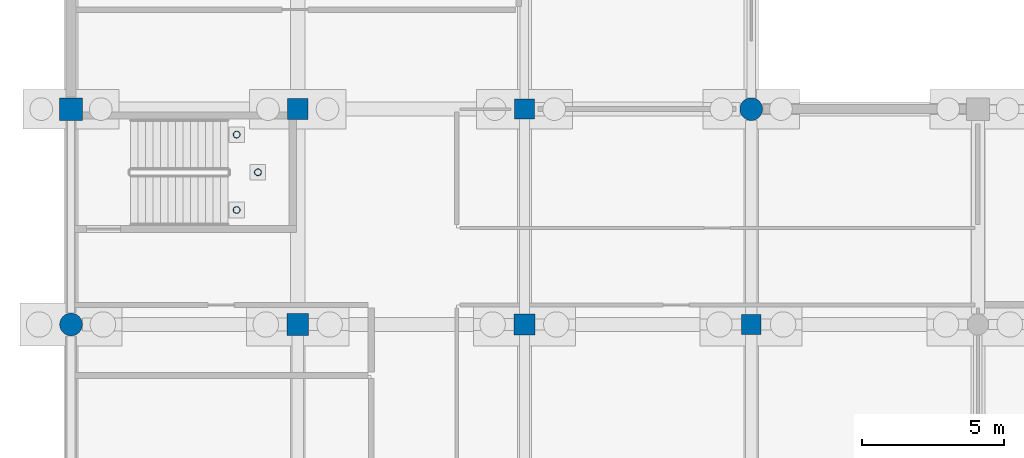
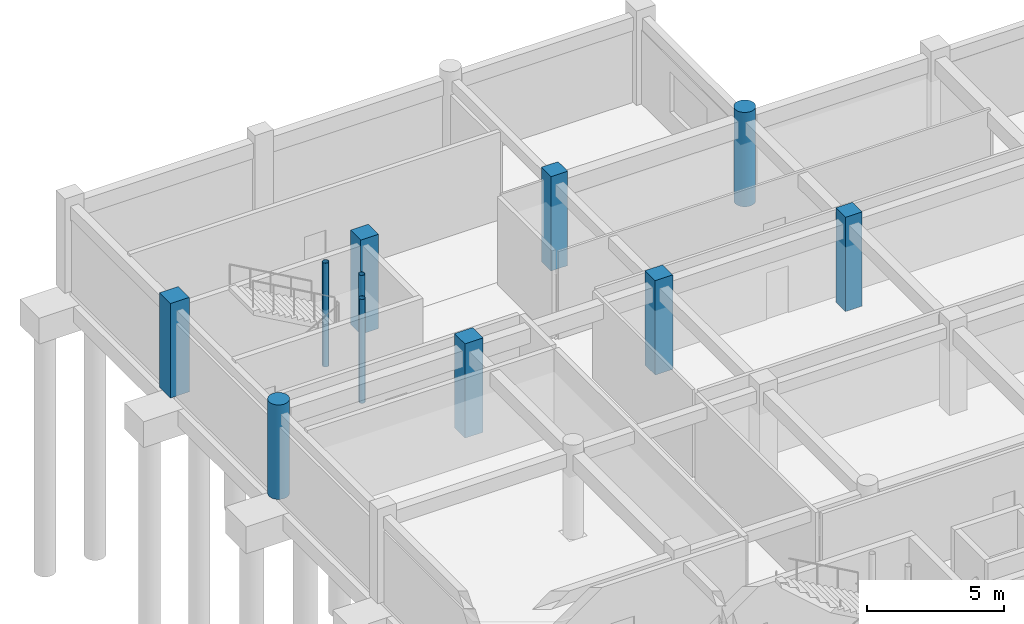
# One storey, part 3 of 11: 11 columns.
"""IFC4 building model written with IfcOpenShell, lengths in metres."""

from ifc_helpers import new_model, si_unit, direction, frame, origin, origin_2d, place, context, subcontext, project, spatial, rectangle, circle, hollow_circle, extrude, material, material_profile, profile_set, type_object, element, save


model = new_model("IFC4")

# Units and contexts
model_context = context("Model", 3, precision=1e-05, world=origin(), true_north=direction((0.0, 1.0)))
body_context = subcontext(model_context, "Body", "Model", "MODEL_VIEW")
ifc_project = project(units=[si_unit("LENGTHUNIT", "METRE"), si_unit("AREAUNIT", "SQUARE_METRE"), si_unit("VOLUMEUNIT", "CUBIC_METRE"), si_unit("PLANEANGLEUNIT", "RADIAN"), si_unit("MASSUNIT", "GRAM", prefix="KILO")], contexts=[model_context])

# Site, building, storey
site_placement = place(None, origin())
site = spatial("IfcSite", under=ifc_project, at=site_placement, CompositionType="ELEMENT")
building_placement = place(site_placement, origin())
building = spatial("IfcBuilding", under=site, at=building_placement, Name="Kharva Crest Polytechnic", CompositionType="ELEMENT")
storey_placement = place(building_placement, frame((0.0, 0.0, -4.199951171875)))
storey = spatial("IfcBuildingStorey", under=building, at=storey_placement, Name="LG", CompositionType="ELEMENT", Elevation=-4.199951171875)

# Columns
ifc_material_1 = material(Name="Concrete C40/50", Category="concrete")
ifc_material_profile_1 = material_profile(ifc_material_1, rectangle(XDim=0.800048828125, YDim=0.800048828125, at=origin_2d()), Name="RECT 800 X 800")
ifc_profile_set_1 = profile_set([ifc_material_profile_1], Name="Concrete C40/50")
column_type_1 = type_object("IfcColumnType", Name="COL-EXT-800X800", PredefinedType="COLUMN", material=ifc_profile_set_1)
column_1_placement = place(storey_placement, frame((120.800048828125, 30.39990234375, 0.0), z_axis=(0.0, 0.0, 1.0), x_axis=(1.0, 0.0, 0.0)))
element("IfcColumn", 1, at=column_1_placement, inside=storey, type_object=column_type_1, Name="LG Column 16J/E", PredefinedType="COLUMN", context=body_context, shape_type="SweptSolid", body=[
    extrude(rectangle(XDim=0.800048828125, YDim=0.800048828125, at=origin_2d()), origin(), (0.0, 0.0, 1.0), 4.199951171875),
])
ifc_material_profile_2 = material_profile(ifc_material_1, circle(Radius=0.39990234375, at=origin_2d()), Name="DIA 800")
ifc_profile_set_2 = profile_set([ifc_material_profile_2], Name="Concrete C40/50")
column_type_2 = type_object("IfcColumnType", Name="COL-EXT-DIA800", PredefinedType="COLUMN", material=ifc_profile_set_2)
for number, where, z_axis, x_axis, name in (
    (2, (120.800048828125, 22.800048828125, 0.0), (0.0, 0.0, 1.0), (1.0, 0.0, 0.0), "LG Column 16J/D"),
    (3, (144.800048828125, 30.39990234375, 0.0), (0.0, 0.0, 1.0), (1.0, 0.0, 0.0), "LG Column 19/E"),
):
    element("IfcColumn", number, at=place(storey_placement, frame(where, z_axis=z_axis, x_axis=x_axis)), inside=storey, type_object=column_type_2, Name=name, PredefinedType="COLUMN", context=body_context, shape_type="SweptSolid", body=[
        extrude(circle(Radius=0.39990234375, at=origin_2d()), origin(), (0.0, 0.0, 1.0), 4.199951171875),
    ])
ifc_material_profile_3 = material_profile(ifc_material_1, rectangle(XDim=0.699951171875, YDim=0.699951171875, at=origin_2d()), Name="RECT 700 X 700")
ifc_profile_set_3 = profile_set([ifc_material_profile_3], Name="Concrete C40/50")
column_type_3 = type_object("IfcColumnType", Name="COL-INT-700X700", PredefinedType="COLUMN", material=ifc_profile_set_3)
for number, where, z_axis, x_axis, name in (
    (4, (136.800048828125, 30.39990234375, 0.0), (0.0, 0.0, 1.0), (1.0, 0.0, 0.0), "LG Column 18/E"),
    (5, (144.800048828125, 22.800048828125, 0.0), (0.0, 0.0, 1.0), (1.0, 0.0, 0.0), "LG Column 19/D"),
):
    element("IfcColumn", number, at=place(storey_placement, frame(where, z_axis=z_axis, x_axis=x_axis)), inside=storey, type_object=column_type_3, Name=name, PredefinedType="COLUMN", context=body_context, shape_type="SweptSolid", body=[
        extrude(rectangle(XDim=0.699951171875, YDim=0.699951171875, at=origin_2d()), origin(), (0.0, 0.0, 1.0), 4.199951171875),
    ])
ifc_material_profile_4 = material_profile(ifc_material_1, rectangle(XDim=0.739990234375, YDim=0.739990234375, at=origin_2d()), Name="RECT 740 X 740")
ifc_profile_set_4 = profile_set([ifc_material_profile_4], Name="Concrete C40/50")
column_type_4 = type_object("IfcColumnType", Name="COL-INT-740X740", PredefinedType="COLUMN", material=ifc_profile_set_4)
for number, where, z_axis, x_axis, name in (
    (6, (128.800048828125, 30.39990234375, 0.0), (0.0, 0.0, 1.0), (1.0, 0.0, 0.0), "LG Column 17/E"),
    (7, (136.800048828125, 22.800048828125, 0.0), (0.0, 0.0, 1.0), (1.0, 0.0, 0.0), "LG Column 18/D"),
):
    element("IfcColumn", number, at=place(storey_placement, frame(where, z_axis=z_axis, x_axis=x_axis)), inside=storey, type_object=column_type_4, Name=name, PredefinedType="COLUMN", context=body_context, shape_type="SweptSolid", body=[
        extrude(rectangle(XDim=0.739990234375, YDim=0.739990234375, at=origin_2d()), origin(), (0.0, 0.0, 1.0), 4.199951171875),
    ])
ifc_material_profile_5 = material_profile(ifc_material_1, rectangle(XDim=0.760009765625, YDim=0.760009765625, at=origin_2d()), Name="RECT 760 X 760")
ifc_profile_set_5 = profile_set([ifc_material_profile_5], Name="Concrete C40/50")
column_type_5 = type_object("IfcColumnType", Name="COL-INT-760X760", PredefinedType="COLUMN", material=ifc_profile_set_5)
column_2_placement = place(storey_placement, frame((128.800048828125, 22.800048828125, 0.0), z_axis=(0.0, 0.0, 1.0), x_axis=(1.0, 0.0, 0.0)))
element("IfcColumn", 8, at=column_2_placement, inside=storey, type_object=column_type_5, Name="LG Column 17/D", PredefinedType="COLUMN", context=body_context, shape_type="SweptSolid", body=[
    extrude(rectangle(XDim=0.760009765625, YDim=0.760009765625, at=origin_2d()), origin(), (0.0, 0.0, 1.0), 4.199951171875),
])
ifc_material_2 = material(Name="Steel S355", Category="steel")
ifc_material_profile_6 = material_profile(ifc_material_2, hollow_circle(Radius=0.122314453125, WallThickness=0.010009765625, at=origin_2d()), Name="CHS 244.5X10.0")
ifc_profile_set_6 = profile_set([ifc_material_profile_6], Name="Steel S355")
column_type_6 = type_object("IfcColumnType", Name="COL-STL-CHS244", PredefinedType="COLUMN", material=ifc_profile_set_6)
for number, where, z_axis, x_axis, name in (
    (9, (126.64501953125, 26.840087890625, -0.420166015625), (0.0, 0.0, 1.0), (1.0, 0.0, 0.0), "LG Stair ST-07 Landing Support Column SW"),
    (10, (126.64501953125, 29.5, -0.420166015625), (0.0, 0.0, 1.0), (1.0, 0.0, 0.0), "LG Stair ST-07 Landing Support Column NW"),
    (11, (127.39501953125, 28.169921875, -0.420166015625), (0.0, 0.0, 1.0), (1.0, 0.0, 0.0), "LG Stair ST-07 Landing Support Column EM"),
):
    element("IfcColumn", number, at=place(storey_placement, frame(where, z_axis=z_axis, x_axis=x_axis)), inside=storey, type_object=column_type_6, Name=name, PredefinedType="COLUMN", context=body_context, shape_type="SweptSolid", body=[
        extrude(hollow_circle(Radius=0.122314453125, WallThickness=0.010009765625, at=origin_2d()), origin(), (0.0, 0.0, 1.0), 4.6201171875),
    ])

save(model, "model.ifc")
